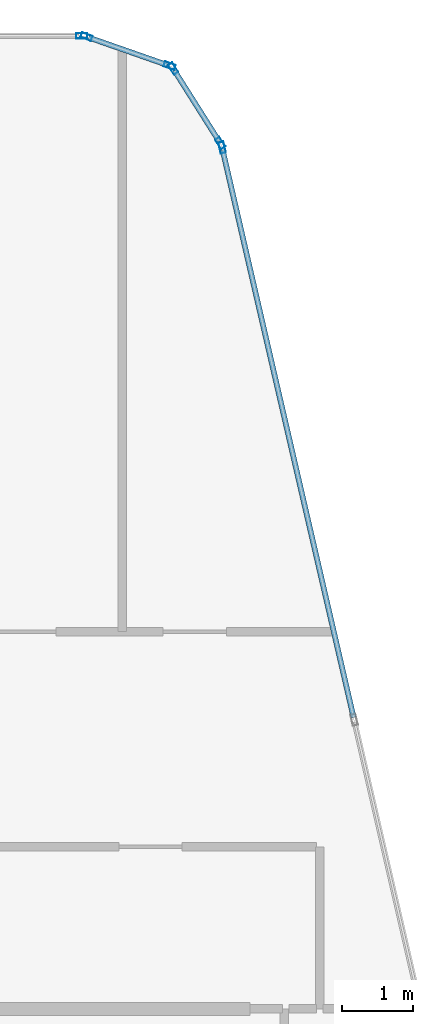
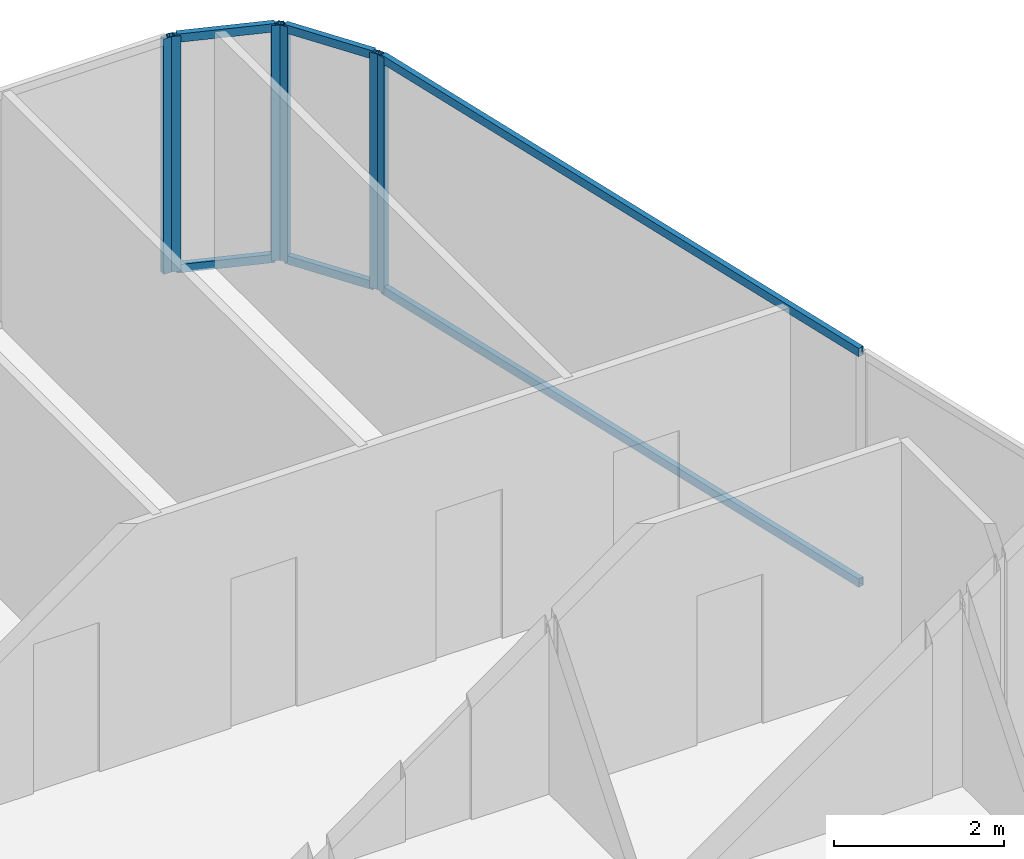
# One storey, part 21 of 29: 12 members, 4 elements without a shape of their own.
"""IFC4 building model written with IfcOpenShell, lengths in metres."""

from ifc_helpers import new_model, si_unit, direction, frame, origin, origin_2d, place, context, subcontext, project, spatial, hollow_rectangle, extrude, material, layer, layer_set, material_profile, profile_set, type_object, element, aggregate, save


model = new_model("IFC4")

# Units and contexts
model_context = context("Model", 3, precision=1e-05, world=origin(), true_north=direction((0.0, 1.0)))
body_context = subcontext(model_context, "Body", "Model", "MODEL_VIEW")
ifc_project = project(units=[si_unit("LENGTHUNIT", "METRE"), si_unit("AREAUNIT", "SQUARE_METRE"), si_unit("VOLUMEUNIT", "CUBIC_METRE"), si_unit("PLANEANGLEUNIT", "RADIAN"), si_unit("MASSUNIT", "GRAM", prefix="KILO")], contexts=[model_context])

# Site, building, storey
site_placement = place(None, origin())
site = spatial("IfcSite", under=ifc_project, at=site_placement, CompositionType="ELEMENT")
building_placement = place(site_placement, origin())
building = spatial("IfcBuilding", under=site, at=building_placement, Name="Keshet Zoharim Tower", CompositionType="ELEMENT")
storey_placement = place(building_placement, frame((0.0, 0.0, 206.89990234375)))
storey = spatial("IfcBuildingStorey", under=building, at=storey_placement, Name="L51", CompositionType="ELEMENT", Elevation=206.89990234375)

# Curtain wall, member
ifc_material = material(Name="Aluminium 6063-T6", Category="aluminium")
ifc_layer = layer(ifc_material, 0.139892578125)
ifc_layer_set = layer_set([ifc_layer], Name="Aluminium 6063-T6")
curtain_wall_type = type_object("IfcCurtainWallType", Name="CW-SYS-05", PredefinedType="NOTDEFINED", material=ifc_layer_set)
curtain_wall_1_placement = place(storey_placement, origin())
curtain_wall_1 = element("IfcCurtainWall", 1, at=curtain_wall_1_placement, inside=storey, type_object=curtain_wall_type, Name="L51 Unitised Curtain Wall 16 Part 3", PredefinedType="NOTDEFINED")
ifc_material_profile_1 = material_profile(ifc_material, hollow_rectangle(XDim=0.074951171875, YDim=0.159912109375, WallThickness=0.00390625, at=origin_2d()), Name="MUL-75x160")
ifc_profile_set_1 = profile_set([ifc_material_profile_1], Name="Aluminium 6063-T6")
member_type_1 = type_object("IfcMemberType", Name="CWM-M15", PredefinedType="MULLION", material=ifc_profile_set_1)
member_1_placement = place(storey_placement, frame((37.3740234375, 53.89990234375, 0.0), z_axis=(0.0, 0.0, 1.0), x_axis=(0.0, 1.0, 0.0)))
member_1 = element("IfcMember", 2, at=member_1_placement, type_object=member_type_1, Name="CW-05 mullion 3", PredefinedType="MULLION", context=body_context, shape_type="SweptSolid", body=[
    extrude(hollow_rectangle(XDim=0.074951171875, YDim=0.159912109375, WallThickness=0.00390625, at=origin_2d()), origin(), (0.0, 0.0, 1.0), 3.39013671875),
])
aggregate(curtain_wall_1, [member_1])

# Curtain wall, members
curtain_wall_2_placement = place(storey_placement, origin())
curtain_wall_2 = element("IfcCurtainWall", 3, at=curtain_wall_2_placement, inside=storey, type_object=curtain_wall_type, Name="L51 Unitised Curtain Wall 17", PredefinedType="NOTDEFINED")
member_2_placement = place(storey_placement, frame((37.442138671875, 53.888427734375, 0.0), z_axis=(0.0, 0.0, 1.0), x_axis=(0.329843743636, 0.944035542119, 0.0)))
member_2 = element("IfcMember", 4, at=member_2_placement, type_object=member_type_1, Name="CW-05 mullion 1", PredefinedType="MULLION", context=body_context, shape_type="SweptSolid", body=[
    extrude(hollow_rectangle(XDim=0.074951171875, YDim=0.159912109375, WallThickness=0.00390625, at=origin_2d()), origin(), (0.0, 0.0, 1.0), 3.39013671875),
])
member_3_placement = place(storey_placement, frame((38.620849609375, 53.4765625, 0.0), z_axis=(0.0, 0.0, 1.0), x_axis=(0.329843743636, 0.944035542119, 0.0)))
member_3 = element("IfcMember", 5, at=member_3_placement, type_object=member_type_1, Name="CW-05 mullion 2", PredefinedType="MULLION", context=body_context, shape_type="SweptSolid", body=[
    extrude(hollow_rectangle(XDim=0.074951171875, YDim=0.159912109375, WallThickness=0.00390625, at=origin_2d()), origin(), (0.0, 0.0, 1.0), 3.39013671875),
])

curtain_wall_3_placement = place(storey_placement, origin())
curtain_wall_3 = element("IfcCurtainWall", 6, at=curtain_wall_3_placement, inside=storey, type_object=curtain_wall_type, Name="L51 Unitised Curtain Wall 18", PredefinedType="NOTDEFINED")
member_4_placement = place(storey_placement, frame((38.672607421875, 53.435302734375, 0.0), z_axis=(0.0, 0.0, 1.0), x_axis=(0.845560976183, 0.533878858502, 0.0)))
member_4 = element("IfcMember", 7, at=member_4_placement, type_object=member_type_1, Name="CW-05 mullion 1", PredefinedType="MULLION", context=body_context, shape_type="SweptSolid", body=[
    extrude(hollow_rectangle(XDim=0.074951171875, YDim=0.159912109375, WallThickness=0.00390625, at=origin_2d()), origin(), (0.0, 0.0, 1.0), 3.39013671875),
])
member_5_placement = place(storey_placement, frame((39.33935546875, 52.379638671875, 0.0), z_axis=(0.0, 0.0, 1.0), x_axis=(0.845560976183, 0.533878858502, 0.0)))
member_5 = element("IfcMember", 8, at=member_5_placement, type_object=member_type_1, Name="CW-05 mullion 2", PredefinedType="MULLION", context=body_context, shape_type="SweptSolid", body=[
    extrude(hollow_rectangle(XDim=0.074951171875, YDim=0.159912109375, WallThickness=0.00390625, at=origin_2d()), origin(), (0.0, 0.0, 1.0), 3.39013671875),
])

# Curtain wall, member
curtain_wall_4_placement = place(storey_placement, origin())
curtain_wall_4 = element("IfcCurtainWall", 9, at=curtain_wall_4_placement, inside=storey, type_object=curtain_wall_type, Name="L51 Unitised Curtain Wall 19", PredefinedType="NOTDEFINED")
member_6_placement = place(storey_placement, frame((39.365966796875, 52.31591796875, 0.0), z_axis=(0.0, 0.0, 1.0), x_axis=(0.974393882313, 0.224847864369, 0.0)))
member_6 = element("IfcMember", 10, at=member_6_placement, type_object=member_type_1, Name="CW-05 mullion 1", PredefinedType="MULLION", context=body_context, shape_type="SweptSolid", body=[
    extrude(hollow_rectangle(XDim=0.074951171875, YDim=0.159912109375, WallThickness=0.00390625, at=origin_2d()), origin(), (0.0, 0.0, 1.0), 3.39013671875),
])

# Member
ifc_material_profile_2 = material_profile(ifc_material, hollow_rectangle(XDim=0.074951171875, YDim=0.1201171875, WallThickness=0.00390625, at=origin_2d()), Name="TRN-75x120")
ifc_profile_set_2 = profile_set([ifc_material_profile_2], Name="Aluminium 6063-T6")
member_type_2 = type_object("IfcMemberType", Name="CWT-T12", PredefinedType="USERDEFINED", material=ifc_profile_set_2)
member_7_placement = place(storey_placement, frame((37.47509765625, 53.876953125, 0.03515625), z_axis=(0.944006789648, -0.329926023675, 0.0), x_axis=(0.329926023675, 0.944006789648, 0.0)))
member_7 = element("IfcMember", 11, at=member_7_placement, type_object=member_type_2, Name="CW-05 transom 1.1", ObjectType="TRANSOM", PredefinedType="USERDEFINED", context=body_context, shape_type="SweptSolid", body=[
    extrude(hollow_rectangle(XDim=0.074951171875, YDim=0.1201171875, WallThickness=0.00390625, at=origin_2d()), origin(), (0.0, 0.0, 1.0), 1.1787109375),
])

member_8_placement = place(storey_placement, frame((37.47509765625, 53.876953125, 3.35498046875), z_axis=(0.944006789648, -0.329926023675, 0.0), x_axis=(0.329926023675, 0.944006789648, 0.0)))
member_8 = element("IfcMember", 12, at=member_8_placement, type_object=member_type_2, Name="CW-05 transom 1.2", ObjectType="TRANSOM", PredefinedType="USERDEFINED", context=body_context, shape_type="SweptSolid", body=[
    extrude(hollow_rectangle(XDim=0.074951171875, YDim=0.1201171875, WallThickness=0.00390625, at=origin_2d()), origin(), (0.0, 0.0, 1.0), 1.1787109375),
])

aggregate(curtain_wall_2, [member_2, member_3, member_7, member_8])

member_9_placement = place(storey_placement, frame((38.69140625, 53.40576171875, 0.03515625), z_axis=(0.53382931122, -0.845592257819, 0.0), x_axis=(0.845592257819, 0.53382931122, 0.0)))
member_9 = element("IfcMember", 13, at=member_9_placement, type_object=member_type_2, Name="CW-05 transom 1.1", ObjectType="TRANSOM", PredefinedType="USERDEFINED", context=body_context, shape_type="SweptSolid", body=[
    extrude(hollow_rectangle(XDim=0.074951171875, YDim=0.1201171875, WallThickness=0.00390625, at=origin_2d()), origin(), (0.0, 0.0, 1.0), 1.178466796875),
])

member_10_placement = place(storey_placement, frame((38.69140625, 53.40576171875, 3.35498046875), z_axis=(0.53382931122, -0.845592257819, 0.0), x_axis=(0.845592257819, 0.53382931122, 0.0)))
member_10 = element("IfcMember", 14, at=member_10_placement, type_object=member_type_2, Name="CW-05 transom 1.2", ObjectType="TRANSOM", PredefinedType="USERDEFINED", context=body_context, shape_type="SweptSolid", body=[
    extrude(hollow_rectangle(XDim=0.074951171875, YDim=0.1201171875, WallThickness=0.00390625, at=origin_2d()), origin(), (0.0, 0.0, 1.0), 1.178466796875),
])

aggregate(curtain_wall_3, [member_4, member_5, member_9, member_10])

member_11_placement = place(storey_placement, frame((39.373779296875, 52.28173828125, 0.03515625), z_axis=(0.224835758738, -0.974396675688, 0.0), x_axis=(0.974396675688, 0.224835758738, 0.0)))
member_11 = element("IfcMember", 15, at=member_11_placement, type_object=member_type_2, Name="CW-05 transom 1.1", ObjectType="TRANSOM", PredefinedType="USERDEFINED", context=body_context, shape_type="SweptSolid", body=[
    extrude(hollow_rectangle(XDim=0.074951171875, YDim=0.1201171875, WallThickness=0.00390625, at=origin_2d()), origin(), (0.0, 0.0, 1.0), 8.259033203125),
])

member_12_placement = place(storey_placement, frame((39.373779296875, 52.28173828125, 3.35498046875), z_axis=(0.224835758738, -0.974396675688, 0.0), x_axis=(0.974396675688, 0.224835758738, 0.0)))
member_12 = element("IfcMember", 16, at=member_12_placement, type_object=member_type_2, Name="CW-05 transom 1.2", ObjectType="TRANSOM", PredefinedType="USERDEFINED", context=body_context, shape_type="SweptSolid", body=[
    extrude(hollow_rectangle(XDim=0.074951171875, YDim=0.1201171875, WallThickness=0.00390625, at=origin_2d()), origin(), (0.0, 0.0, 1.0), 8.259033203125),
])

aggregate(curtain_wall_4, [member_6, member_11, member_12])

save(model, "model.ifc")
